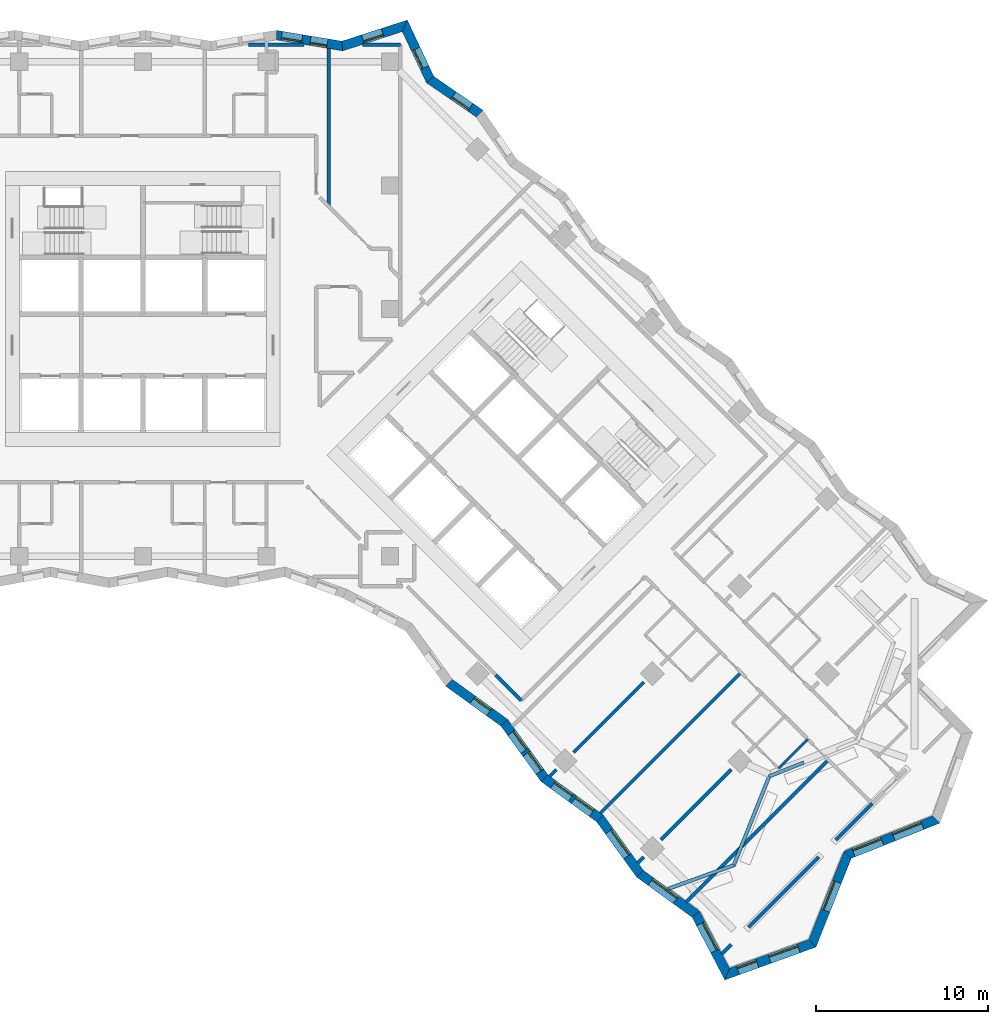
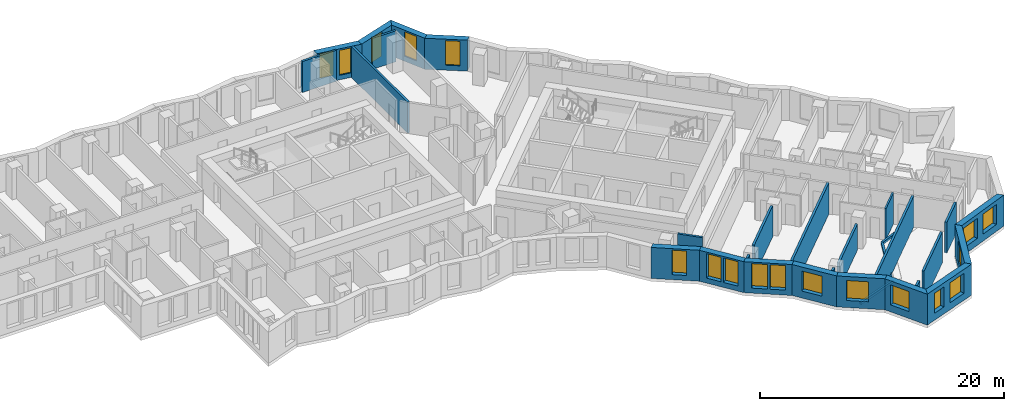
# One storey, part 8 of 14: 30 walls, 18 windows, 18 openings.
"""IFC4 building model written with IfcOpenShell, lengths in metres."""

from ifc_helpers import new_model, si_unit, direction, frame, frame_2d, origin, place, context, subcontext, project, spatial, polyline, rectangle, outline, extrude, material, layer, layer_set, type_object, element, fill, save


model = new_model("IFC4")

# Units and contexts
model_context = context("Model", 3, precision=1e-05, world=origin(), true_north=direction((0.0, 1.0)))
body_context = subcontext(model_context, "Body", "Model", "MODEL_VIEW")
ifc_project = project(units=[si_unit("LENGTHUNIT", "METRE"), si_unit("AREAUNIT", "SQUARE_METRE"), si_unit("VOLUMEUNIT", "CUBIC_METRE"), si_unit("PLANEANGLEUNIT", "RADIAN"), si_unit("MASSUNIT", "GRAM", prefix="KILO")], contexts=[model_context])

# Site, building, storey
site_placement = place(None, origin())
site = spatial("IfcSite", under=ifc_project, at=site_placement, CompositionType="ELEMENT")
building_placement = place(site_placement, origin())
building = spatial("IfcBuilding", under=site, at=building_placement, Name="Windrow Commons", CompositionType="ELEMENT")
storey_placement = place(building_placement, frame((0.0, 0.0, 118.6)))
storey = spatial("IfcBuildingStorey", under=building, at=storey_placement, Name="L32", CompositionType="ELEMENT", Elevation=118.6)

# Wall, openings, windows
ifc_material_1 = material(Name="Brick masonry, red clay brick", Category="masonry")
ifc_layer_1 = layer(ifc_material_1, 0.55)
ifc_layer_set_1 = layer_set([ifc_layer_1], Name="Brick facade wall 550")
wall_type_1 = type_object("IfcWallType", Name="Brick facade wall 550", PredefinedType="SOLIDWALL", material=ifc_layer_set_1)
wall_1_placement = place(storey_placement, frame((98.8273, 18.8616, 0.0), z_axis=(0.0, 0.0, 1.0), x_axis=(0.9406965129, 0.339249275, 0.0)))
wall_1 = element("IfcWall", 1, at=wall_1_placement, inside=storey, type_object=wall_type_1, Name="Brick facade wall L32 1", PredefinedType="SOLIDWALL", context=body_context, shape_type="SweptSolid", body=[
    extrude(outline(polyline([(-0.2399, -0.275), (5.4034, -0.275), (5.1558, 0.275), (0.2399, 0.275), (-0.2399, -0.275)])), origin(), (0.0, 0.0, 1.0), 3.1),
])
opening_1_placement = place(wall_1_placement, frame((2.6264, 0.0, 0.7)))
opening_1 = element("IfcOpeningElement", 2, at=opening_1_placement, cuts=wall_1, Name="Opening W1", PredefinedType="OPENING", context=body_context, shape_type="SweptSolid", body=[
    extrude(rectangle(XDim=1.8, YDim=2.0, at=frame_2d((0.9, 1.0))), frame((0.0, 0.285, 0.0), z_axis=(0.0, -1.0, 0.0), x_axis=(1.0, 0.0, 0.0)), (0.0, 0.0, 1.0), 0.57),
])
opening_2_placement = place(wall_1_placement, frame((0.6685, 0.0, 0.7)))
opening_2 = element("IfcOpeningElement", 3, at=opening_2_placement, cuts=wall_1, Name="Opening W7", PredefinedType="OPENING", context=body_context, shape_type="SweptSolid", body=[
    extrude(rectangle(XDim=1.2, YDim=2.0, at=frame_2d((0.6, 1.0))), frame((0.0, 0.285, 0.0), z_axis=(0.0, -1.0, 0.0), x_axis=(1.0, 0.0, 0.0)), (0.0, 0.0, 1.0), 0.57),
])
ifc_material_2 = material(Name="Clear float glass in anodised aluminium frame", Category="aluminium")
window_type_1 = type_object("IfcWindowType", Name="Window W1 bedroom 1800x2000", PartitioningType="SINGLE_PANEL", PredefinedType="WINDOW", material=ifc_material_2)
window_1_placement = place(opening_1_placement, origin())
window_1 = element("IfcWindow", 4, at=window_1_placement, inside=storey, type_object=window_type_1, Name="Window L32 1.1", OverallHeight=2.0, OverallWidth=1.8, PartitioningType="SINGLE_PANEL", PredefinedType="WINDOW", context=body_context, shape_type="SweptSolid", body=[
    extrude(rectangle(XDim=1.8, YDim=2.0, at=frame_2d((0.9, 1.0))), frame((0.0, 0.155, 0.0), z_axis=(0.0, -1.0, 0.0), x_axis=(1.0, 0.0, 0.0)), (0.0, 0.0, 1.0), 0.06),
])
fill(opening_1, window_1)
ifc_material_3 = material(Name="Clear float glass in anodised aluminium frame", Category="aluminium")
window_type_2 = type_object("IfcWindowType", Name="Window W7 notch 1200x2000", PartitioningType="SINGLE_PANEL", PredefinedType="WINDOW", material=ifc_material_3)
window_2_placement = place(opening_2_placement, origin())
window_2 = element("IfcWindow", 5, at=window_2_placement, inside=storey, type_object=window_type_2, Name="Window L32 1.2", OverallHeight=2.0, OverallWidth=1.2, PartitioningType="SINGLE_PANEL", PredefinedType="WINDOW", context=body_context, shape_type="SweptSolid", body=[
    extrude(rectangle(XDim=1.2, YDim=2.0, at=frame_2d((0.6, 1.0))), frame((0.0, 0.155, 0.0), z_axis=(0.0, -1.0, 0.0), x_axis=(1.0, 0.0, 0.0)), (0.0, 0.0, 1.0), 0.06),
])
fill(opening_2, window_2)

# Wall, opening, window
wall_2_placement = place(storey_placement, frame((103.7938, 20.6527, 0.0), z_axis=(0.0, 0.0, 1.0), x_axis=(0.3696863302, 0.9291566161, 0.0)))
wall_2 = element("IfcWall", 6, at=wall_2_placement, inside=storey, type_object=wall_type_1, Name="Brick facade wall L32 2", PredefinedType="SOLIDWALL", context=body_context, shape_type="SweptSolid", body=[
    extrude(outline(polyline([(-0.1238, -0.275), (5.4374, -0.275), (5.6743, 0.275), (0.1238, 0.275), (-0.1238, -0.275)])), origin(), (0.0, 0.0, 1.0), 3.1),
])
opening_3_placement = place(wall_2_placement, frame((2.0567, 0.0, 0.7)))
opening_3 = element("IfcOpeningElement", 7, at=opening_3_placement, cuts=wall_2, Name="Opening W1", PredefinedType="OPENING", context=body_context, shape_type="SweptSolid", body=[
    extrude(rectangle(XDim=1.8, YDim=2.0, at=frame_2d((0.9, 1.0))), frame((0.0, 0.285, 0.0), z_axis=(0.0, -1.0, 0.0), x_axis=(1.0, 0.0, 0.0)), (0.0, 0.0, 1.0), 0.57),
])
window_3_placement = place(opening_3_placement, origin())
window_3 = element("IfcWindow", 8, at=window_3_placement, inside=storey, type_object=window_type_1, Name="Window L32 2.1", OverallHeight=2.0, OverallWidth=1.8, PartitioningType="SINGLE_PANEL", PredefinedType="WINDOW", context=body_context, shape_type="SweptSolid", body=[
    extrude(rectangle(XDim=1.8, YDim=2.0, at=frame_2d((0.9, 1.0))), frame((0.0, 0.155, 0.0), z_axis=(0.0, -1.0, 0.0), x_axis=(1.0, 0.0, 0.0)), (0.0, 0.0, 1.0), 0.06),
])
fill(opening_3, window_3)

# Wall, openings, windows
wall_3_placement = place(storey_placement, frame((105.8477, 25.8149, 0.0), z_axis=(0.0, 0.0, 1.0), x_axis=(0.9291504333, 0.3697018694, 0.0)))
wall_3 = element("IfcWall", 9, at=wall_3_placement, inside=storey, type_object=wall_type_1, Name="Brick facade wall L32 3", PredefinedType="SOLIDWALL", context=body_context, shape_type="SweptSolid", body=[
    extrude(outline(polyline([(0.1185, -0.275), (5.6796, -0.275), (5.432, 0.275), (-0.1185, 0.275), (0.1185, -0.275)])), origin(), (0.0, 0.0, 1.0), 3.1),
])
opening_4_placement = place(wall_3_placement, frame((0.3582, 0.0, 0.7)))
opening_4 = element("IfcOpeningElement", 10, at=opening_4_placement, cuts=wall_3, Name="Opening W1", PredefinedType="OPENING", context=body_context, shape_type="SweptSolid", body=[
    extrude(rectangle(XDim=1.8, YDim=2.0, at=frame_2d((0.9, 1.0))), frame((0.0, 0.285, 0.0), z_axis=(0.0, -1.0, 0.0), x_axis=(1.0, 0.0, 0.0)), (0.0, 0.0, 1.0), 0.57),
])
opening_5_placement = place(wall_3_placement, frame((2.8742, 0.0, 0.7)))
opening_5 = element("IfcOpeningElement", 11, at=opening_5_placement, cuts=wall_3, Name="Opening W1", PredefinedType="OPENING", context=body_context, shape_type="SweptSolid", body=[
    extrude(rectangle(XDim=1.8, YDim=2.0, at=frame_2d((0.9, 1.0))), frame((0.0, 0.285, 0.0), z_axis=(0.0, -1.0, 0.0), x_axis=(1.0, 0.0, 0.0)), (0.0, 0.0, 1.0), 0.57),
])
window_4_placement = place(opening_4_placement, origin())
window_4 = element("IfcWindow", 12, at=window_4_placement, inside=storey, type_object=window_type_1, Name="Window L32 3.1", OverallHeight=2.0, OverallWidth=1.8, PartitioningType="SINGLE_PANEL", PredefinedType="WINDOW", context=body_context, shape_type="SweptSolid", body=[
    extrude(rectangle(XDim=1.8, YDim=2.0, at=frame_2d((0.9, 1.0))), frame((0.0, 0.155, 0.0), z_axis=(0.0, -1.0, 0.0), x_axis=(1.0, 0.0, 0.0)), (0.0, 0.0, 1.0), 0.06),
])
fill(opening_4, window_4)
window_5_placement = place(opening_5_placement, origin())
window_5 = element("IfcWindow", 13, at=window_5_placement, inside=storey, type_object=window_type_1, Name="Window L32 3.2", OverallHeight=2.0, OverallWidth=1.8, PartitioningType="SINGLE_PANEL", PredefinedType="WINDOW", context=body_context, shape_type="SweptSolid", body=[
    extrude(rectangle(XDim=1.8, YDim=2.0, at=frame_2d((0.9, 1.0))), frame((0.0, 0.155, 0.0), z_axis=(0.0, -1.0, 0.0), x_axis=(1.0, 0.0, 0.0)), (0.0, 0.0, 1.0), 0.06),
])
fill(opening_5, window_5)

# Wall, opening, window
wall_4_placement = place(storey_placement, frame((84.4112, 68.9814, 0.0), z_axis=(0.0, 0.0, 1.0), x_axis=(-0.8236536684, 0.5670931445, 0.0)))
wall_4 = element("IfcWall", 14, at=wall_4_placement, inside=storey, type_object=wall_type_1, Name="Brick facade wall L32 19", PredefinedType="SOLIDWALL", context=body_context, shape_type="SweptSolid", body=[
    extrude(outline(polyline([(-0.0507, -0.275), (3.4219, -0.275), (3.5707, 0.275), (0.0507, 0.275), (-0.0507, -0.275)])), origin(), (0.0, 0.0, 1.0), 3.1),
])
opening_6_placement = place(wall_4_placement, frame((0.6538, 0.0, 0.5)))
opening_6 = element("IfcOpeningElement", 15, at=opening_6_placement, cuts=wall_4, Name="Opening W7D", PredefinedType="OPENING", context=body_context, shape_type="SweptSolid", body=[
    extrude(rectangle(XDim=1.2, YDim=2.45, at=frame_2d((0.6, 1.225))), frame((0.0, 0.285, 0.0), z_axis=(0.0, -1.0, 0.0), x_axis=(1.0, 0.0, 0.0)), (0.0, 0.0, 1.0), 0.57),
])
ifc_material_4 = material(Name="Clear float glass in anodised aluminium frame", Category="aluminium")
window_type_3 = type_object("IfcWindowType", Name="Window W7 notch 1200x2450", PartitioningType="SINGLE_PANEL", PredefinedType="WINDOW", material=ifc_material_4)
window_6_placement = place(opening_6_placement, origin())
window_6 = element("IfcWindow", 16, at=window_6_placement, inside=storey, type_object=window_type_3, Name="Window L32 19.1", OverallHeight=2.45, OverallWidth=1.2, PartitioningType="SINGLE_PANEL", PredefinedType="WINDOW", context=body_context, shape_type="SweptSolid", body=[
    extrude(rectangle(XDim=1.2, YDim=2.45, at=frame_2d((0.6, 1.225))), frame((0.0, 0.155, 0.0), z_axis=(0.0, -1.0, 0.0), x_axis=(1.0, 0.0, 0.0)), (0.0, 0.0, 1.0), 0.06),
])
fill(opening_6, window_6)

wall_5_placement = place(storey_placement, frame((81.5315, 70.9641, 0.0), z_axis=(0.0, 0.0, 1.0), x_axis=(-0.425664885, 0.9048808793, 0.0)))
wall_5 = element("IfcWall", 17, at=wall_5_placement, inside=storey, type_object=wall_type_1, Name="Brick facade wall L32 20", PredefinedType="SOLIDWALL", context=body_context, shape_type="SweptSolid", body=[
    extrude(outline(polyline([(0.0744, -0.275), (3.7042, -0.275), (3.22, 0.275), (-0.0744, 0.275), (0.0744, -0.275)])), origin(), (0.0, 0.0, 1.0), 3.1),
])
opening_7_placement = place(wall_5_placement, frame((0.7654, 0.0, 0.5)))
opening_7 = element("IfcOpeningElement", 18, at=opening_7_placement, cuts=wall_5, Name="Opening W7D", PredefinedType="OPENING", context=body_context, shape_type="SweptSolid", body=[
    extrude(rectangle(XDim=1.2, YDim=2.45, at=frame_2d((0.6, 1.225))), frame((0.0, 0.285, 0.0), z_axis=(0.0, -1.0, 0.0), x_axis=(1.0, 0.0, 0.0)), (0.0, 0.0, 1.0), 0.57),
])
window_7_placement = place(opening_7_placement, origin())
window_7 = element("IfcWindow", 19, at=window_7_placement, inside=storey, type_object=window_type_3, Name="Window L32 20.1", OverallHeight=2.45, OverallWidth=1.2, PartitioningType="SINGLE_PANEL", PredefinedType="WINDOW", context=body_context, shape_type="SweptSolid", body=[
    extrude(rectangle(XDim=1.2, YDim=2.45, at=frame_2d((0.6, 1.225))), frame((0.0, 0.155, 0.0), z_axis=(0.0, -1.0, 0.0), x_axis=(1.0, 0.0, 0.0)), (0.0, 0.0, 1.0), 0.06),
])
fill(opening_7, window_7)

wall_6_placement = place(storey_placement, frame((80.0578, 74.0969, 0.0), z_axis=(0.0, 0.0, 1.0), x_axis=(-0.9515336755, -0.307544573, 0.0)))
wall_6 = element("IfcWall", 20, at=wall_6_placement, inside=storey, type_object=wall_type_1, Name="Brick facade wall L32 21", PredefinedType="SOLIDWALL", context=body_context, shape_type="SweptSolid", body=[
    extrude(outline(polyline([(-0.2421, -0.275), (3.767, -0.275), (3.9007, 0.275), (0.2421, 0.275), (-0.2421, -0.275)])), origin(), (0.0, 0.0, 1.0), 3.1),
])
opening_8_placement = place(wall_6_placement, frame((1.3677, 0.0, 0.5)))
opening_8 = element("IfcOpeningElement", 21, at=opening_8_placement, cuts=wall_6, Name="Opening W7D", PredefinedType="OPENING", context=body_context, shape_type="SweptSolid", body=[
    extrude(rectangle(XDim=1.2, YDim=2.45, at=frame_2d((0.6, 1.225))), frame((0.0, 0.285, 0.0), z_axis=(0.0, -1.0, 0.0), x_axis=(1.0, 0.0, 0.0)), (0.0, 0.0, 1.0), 0.57),
])
window_8_placement = place(opening_8_placement, origin())
window_8 = element("IfcWindow", 22, at=window_8_placement, inside=storey, type_object=window_type_3, Name="Window L32 21.1", OverallHeight=2.45, OverallWidth=1.2, PartitioningType="SINGLE_PANEL", PredefinedType="WINDOW", context=body_context, shape_type="SweptSolid", body=[
    extrude(rectangle(XDim=1.2, YDim=2.45, at=frame_2d((0.6, 1.225))), frame((0.0, 0.155, 0.0), z_axis=(0.0, -1.0, 0.0), x_axis=(1.0, 0.0, 0.0)), (0.0, 0.0, 1.0), 0.06),
])
fill(opening_8, window_8)

# Wall, openings, windows
wall_7_placement = place(storey_placement, frame((76.4097, 72.9178, 0.0), z_axis=(0.0, 0.0, 1.0), x_axis=(-0.9865139149, 0.1636774136, 0.0)))
wall_7 = element("IfcWall", 23, at=wall_7_placement, inside=storey, type_object=wall_type_1, Name="Brick facade wall L32 22", PredefinedType="SOLIDWALL", context=body_context, shape_type="SweptSolid", body=[
    extrude(outline(polyline([(0.0669, -0.275), (3.9338, -0.275), (3.8426, 0.275), (-0.0669, 0.275), (0.0669, -0.275)])), origin(), (0.0, 0.0, 1.0), 3.1),
])
opening_9_placement = place(wall_7_placement, frame((0.8795, 0.0, 0.45)))
opening_9 = element("IfcOpeningElement", 24, at=opening_9_placement, cuts=wall_7, Name="Opening W1S", PredefinedType="OPENING", context=body_context, shape_type="SweptSolid", body=[
    extrude(rectangle(XDim=1.0, YDim=2.5, at=frame_2d((0.5, 1.25))), frame((0.0, 0.285, 0.0), z_axis=(0.0, -1.0, 0.0), x_axis=(1.0, 0.0, 0.0)), (0.0, 0.0, 1.0), 0.57),
])
opening_10_placement = place(wall_7_placement, frame((2.3736, 0.0, 0.5)))
opening_10 = element("IfcOpeningElement", 25, at=opening_10_placement, cuts=wall_7, Name="Opening W7D", PredefinedType="OPENING", context=body_context, shape_type="SweptSolid", body=[
    extrude(rectangle(XDim=1.2, YDim=2.45, at=frame_2d((0.6, 1.225))), frame((0.0, 0.285, 0.0), z_axis=(0.0, -1.0, 0.0), x_axis=(1.0, 0.0, 0.0)), (0.0, 0.0, 1.0), 0.57),
])
ifc_material_5 = material(Name="Clear float glass in anodised aluminium frame", Category="aluminium")
window_type_4 = type_object("IfcWindowType", Name="Window W1S slit 1000x2500", PartitioningType="SINGLE_PANEL", PredefinedType="WINDOW", material=ifc_material_5)
window_9_placement = place(opening_9_placement, origin())
window_9 = element("IfcWindow", 26, at=window_9_placement, inside=storey, type_object=window_type_4, Name="Window L32 22.1A", OverallHeight=2.5, OverallWidth=1.0, PartitioningType="SINGLE_PANEL", PredefinedType="WINDOW", context=body_context, shape_type="SweptSolid", body=[
    extrude(rectangle(XDim=1.0, YDim=2.5, at=frame_2d((0.5, 1.25))), frame((0.0, 0.155, 0.0), z_axis=(0.0, -1.0, 0.0), x_axis=(1.0, 0.0, 0.0)), (0.0, 0.0, 1.0), 0.06),
])
fill(opening_9, window_9)
window_10_placement = place(opening_10_placement, origin())
window_10 = element("IfcWindow", 27, at=window_10_placement, inside=storey, type_object=window_type_3, Name="Window L32 22.1B", OverallHeight=2.45, OverallWidth=1.2, PartitioningType="SINGLE_PANEL", PredefinedType="WINDOW", context=body_context, shape_type="SweptSolid", body=[
    extrude(rectangle(XDim=1.2, YDim=2.45, at=frame_2d((0.6, 1.225))), frame((0.0, 0.155, 0.0), z_axis=(0.0, -1.0, 0.0), x_axis=(1.0, 0.0, 0.0)), (0.0, 0.0, 1.0), 0.06),
])
fill(opening_10, window_10)

# Wall, opening, window
wall_8_placement = place(storey_placement, frame((82.632, 35.8268, 0.0), z_axis=(0.0, 0.0, 1.0), x_axis=(0.8100630266, -0.5863428119, 0.0)))
wall_8 = element("IfcWall", 28, at=wall_8_placement, inside=storey, type_object=wall_type_1, Name="Brick facade wall L32 54", PredefinedType="SOLIDWALL", context=body_context, shape_type="SweptSolid", body=[
    extrude(outline(polyline([(-0.0441, -0.275), (3.9386, -0.275), (4.0267, 0.275), (0.0441, 0.275), (-0.0441, -0.275)])), origin(), (0.0, 0.0, 1.0), 3.1),
])
opening_11_placement = place(wall_8_placement, frame((1.6938, 0.0, 0.5)))
opening_11 = element("IfcOpeningElement", 29, at=opening_11_placement, cuts=wall_8, Name="Opening W7D", PredefinedType="OPENING", context=body_context, shape_type="SweptSolid", body=[
    extrude(rectangle(XDim=1.2, YDim=2.45, at=frame_2d((0.6, 1.225))), frame((0.0, 0.285, 0.0), z_axis=(0.0, -1.0, 0.0), x_axis=(1.0, 0.0, 0.0)), (0.0, 0.0, 1.0), 0.57),
])
window_11_placement = place(opening_11_placement, origin())
window_11 = element("IfcWindow", 30, at=window_11_placement, inside=storey, type_object=window_type_3, Name="Window L32 54.1", OverallHeight=2.45, OverallWidth=1.2, PartitioningType="SINGLE_PANEL", PredefinedType="WINDOW", context=body_context, shape_type="SweptSolid", body=[
    extrude(rectangle(XDim=1.2, YDim=2.45, at=frame_2d((0.6, 1.225))), frame((0.0, 0.155, 0.0), z_axis=(0.0, -1.0, 0.0), x_axis=(1.0, 0.0, 0.0)), (0.0, 0.0, 1.0), 0.06),
])
fill(opening_11, window_11)

# Wall, openings, windows
wall_9_placement = place(storey_placement, frame((85.8582, 33.4916, 0.0), z_axis=(0.0, 0.0, 1.0), x_axis=(0.5863547381, -0.8100543939, 0.0)))
wall_9 = element("IfcWall", 31, at=wall_9_placement, inside=storey, type_object=wall_type_1, Name="Brick facade wall L32 55", PredefinedType="SOLIDWALL", context=body_context, shape_type="SweptSolid", body=[
    extrude(outline(polyline([(0.0441, -0.275), (4.0267, -0.275), (3.9386, 0.275), (-0.0441, 0.275), (0.0441, -0.275)])), origin(), (0.0, 0.0, 1.0), 3.1),
])
opening_12_placement = place(wall_9_placement, frame((0.7035, 0.0, 0.5)))
opening_12 = element("IfcOpeningElement", 32, at=opening_12_placement, cuts=wall_9, Name="Opening W1P", PredefinedType="OPENING", context=body_context, shape_type="SweptSolid", body=[
    extrude(rectangle(XDim=1.3, YDim=2.45, at=frame_2d((0.65, 1.225))), frame((0.0, 0.285, 0.0), z_axis=(0.0, -1.0, 0.0), x_axis=(1.0, 0.0, 0.0)), (0.0, 0.0, 1.0), 0.57),
])
opening_13_placement = place(wall_9_placement, frame((2.2035, 0.0, 0.5)))
opening_13 = element("IfcOpeningElement", 33, at=opening_13_placement, cuts=wall_9, Name="Opening W1P", PredefinedType="OPENING", context=body_context, shape_type="SweptSolid", body=[
    extrude(rectangle(XDim=1.3, YDim=2.45, at=frame_2d((0.65, 1.225))), frame((0.0, 0.285, 0.0), z_axis=(0.0, -1.0, 0.0), x_axis=(1.0, 0.0, 0.0)), (0.0, 0.0, 1.0), 0.57),
])
ifc_material_6 = material(Name="Clear float glass in anodised aluminium frame", Category="aluminium")
window_type_5 = type_object("IfcWindowType", Name="Window W1P pair 1300x2450", PartitioningType="SINGLE_PANEL", PredefinedType="WINDOW", material=ifc_material_6)
window_12_placement = place(opening_12_placement, origin())
window_12 = element("IfcWindow", 34, at=window_12_placement, inside=storey, type_object=window_type_5, Name="Window L32 55.1A", OverallHeight=2.45, OverallWidth=1.3, PartitioningType="SINGLE_PANEL", PredefinedType="WINDOW", context=body_context, shape_type="SweptSolid", body=[
    extrude(rectangle(XDim=1.3, YDim=2.45, at=frame_2d((0.65, 1.225))), frame((0.0, 0.155, 0.0), z_axis=(0.0, -1.0, 0.0), x_axis=(1.0, 0.0, 0.0)), (0.0, 0.0, 1.0), 0.06),
])
fill(opening_12, window_12)
window_13_placement = place(opening_13_placement, origin())
window_13 = element("IfcWindow", 35, at=window_13_placement, inside=storey, type_object=window_type_5, Name="Window L32 55.1B", OverallHeight=2.45, OverallWidth=1.3, PartitioningType="SINGLE_PANEL", PredefinedType="WINDOW", context=body_context, shape_type="SweptSolid", body=[
    extrude(rectangle(XDim=1.3, YDim=2.45, at=frame_2d((0.65, 1.225))), frame((0.0, 0.155, 0.0), z_axis=(0.0, -1.0, 0.0), x_axis=(1.0, 0.0, 0.0)), (0.0, 0.0, 1.0), 0.06),
])
fill(opening_13, window_13)

wall_10_placement = place(storey_placement, frame((88.1934, 30.2655, 0.0), z_axis=(0.0, 0.0, 1.0), x_axis=(0.8100630266, -0.5863428119, 0.0)))
wall_10 = element("IfcWall", 36, at=wall_10_placement, inside=storey, type_object=wall_type_1, Name="Brick facade wall L32 56", PredefinedType="SOLIDWALL", context=body_context, shape_type="SweptSolid", body=[
    extrude(outline(polyline([(-0.0441, -0.275), (3.9386, -0.275), (4.0267, 0.275), (0.0441, 0.275), (-0.0441, -0.275)])), origin(), (0.0, 0.0, 1.0), 3.1),
])
opening_14_placement = place(wall_10_placement, frame((0.6133, 0.0, 0.5)))
opening_14 = element("IfcOpeningElement", 37, at=opening_14_placement, cuts=wall_10, Name="Opening W1P", PredefinedType="OPENING", context=body_context, shape_type="SweptSolid", body=[
    extrude(rectangle(XDim=1.3, YDim=2.45, at=frame_2d((0.65, 1.225))), frame((0.0, 0.285, 0.0), z_axis=(0.0, -1.0, 0.0), x_axis=(1.0, 0.0, 0.0)), (0.0, 0.0, 1.0), 0.57),
])
opening_15_placement = place(wall_10_placement, frame((2.1133, 0.0, 0.5)))
opening_15 = element("IfcOpeningElement", 38, at=opening_15_placement, cuts=wall_10, Name="Opening W1P", PredefinedType="OPENING", context=body_context, shape_type="SweptSolid", body=[
    extrude(rectangle(XDim=1.3, YDim=2.45, at=frame_2d((0.65, 1.225))), frame((0.0, 0.285, 0.0), z_axis=(0.0, -1.0, 0.0), x_axis=(1.0, 0.0, 0.0)), (0.0, 0.0, 1.0), 0.57),
])
window_14_placement = place(opening_14_placement, origin())
window_14 = element("IfcWindow", 39, at=window_14_placement, inside=storey, type_object=window_type_5, Name="Window L32 56.1A", OverallHeight=2.45, OverallWidth=1.3, PartitioningType="SINGLE_PANEL", PredefinedType="WINDOW", context=body_context, shape_type="SweptSolid", body=[
    extrude(rectangle(XDim=1.3, YDim=2.45, at=frame_2d((0.65, 1.225))), frame((0.0, 0.155, 0.0), z_axis=(0.0, -1.0, 0.0), x_axis=(1.0, 0.0, 0.0)), (0.0, 0.0, 1.0), 0.06),
])
fill(opening_14, window_14)
window_15_placement = place(opening_15_placement, origin())
window_15 = element("IfcWindow", 40, at=window_15_placement, inside=storey, type_object=window_type_5, Name="Window L32 56.1B", OverallHeight=2.45, OverallWidth=1.3, PartitioningType="SINGLE_PANEL", PredefinedType="WINDOW", context=body_context, shape_type="SweptSolid", body=[
    extrude(rectangle(XDim=1.3, YDim=2.45, at=frame_2d((0.65, 1.225))), frame((0.0, 0.155, 0.0), z_axis=(0.0, -1.0, 0.0), x_axis=(1.0, 0.0, 0.0)), (0.0, 0.0, 1.0), 0.06),
])
fill(opening_15, window_15)

# Wall, opening, window
wall_11_placement = place(storey_placement, frame((91.4196, 27.9303, 0.0), z_axis=(0.0, 0.0, 1.0), x_axis=(0.5863428119, -0.8100630266, 0.0)))
wall_11 = element("IfcWall", 41, at=wall_11_placement, inside=storey, type_object=wall_type_1, Name="Brick facade wall L32 57", PredefinedType="SOLIDWALL", context=body_context, shape_type="SweptSolid", body=[
    extrude(outline(polyline([(0.0441, -0.275), (4.0267, -0.275), (3.9386, 0.275), (-0.0441, 0.275), (0.0441, -0.275)])), origin(), (0.0, 0.0, 1.0), 3.1),
])
opening_16_placement = place(wall_11_placement, frame((0.9204, 0.0, 0.7)))
opening_16 = element("IfcOpeningElement", 42, at=opening_16_placement, cuts=wall_11, Name="Opening W1", PredefinedType="OPENING", context=body_context, shape_type="SweptSolid", body=[
    extrude(rectangle(XDim=1.8, YDim=2.0, at=frame_2d((0.9, 1.0))), frame((0.0, 0.285, 0.0), z_axis=(0.0, -1.0, 0.0), x_axis=(1.0, 0.0, 0.0)), (0.0, 0.0, 1.0), 0.57),
])
window_16_placement = place(opening_16_placement, origin())
window_16 = element("IfcWindow", 43, at=window_16_placement, inside=storey, type_object=window_type_1, Name="Window L32 57.1", OverallHeight=2.0, OverallWidth=1.8, PartitioningType="SINGLE_PANEL", PredefinedType="WINDOW", context=body_context, shape_type="SweptSolid", body=[
    extrude(rectangle(XDim=1.8, YDim=2.0, at=frame_2d((0.9, 1.0))), frame((0.0, 0.155, 0.0), z_axis=(0.0, -1.0, 0.0), x_axis=(1.0, 0.0, 0.0)), (0.0, 0.0, 1.0), 0.06),
])
fill(opening_16, window_16)

wall_12_placement = place(storey_placement, frame((93.7548, 24.7041, 0.0), z_axis=(0.0, 0.0, 1.0), x_axis=(0.8100529974, -0.5863566673, 0.0)))
wall_12 = element("IfcWall", 44, at=wall_12_placement, inside=storey, type_object=wall_type_1, Name="Brick facade wall L32 58", PredefinedType="SOLIDWALL", context=body_context, shape_type="SweptSolid", body=[
    extrude(outline(polyline([(-0.0441, -0.275), (3.9386, -0.275), (4.0679, 0.275), (0.0441, 0.275), (-0.0441, -0.275)])), origin(), (0.0, 0.0, 1.0), 3.1),
])
opening_17_placement = place(wall_12_placement, frame((0.7741, 0.0, 0.7)))
opening_17 = element("IfcOpeningElement", 45, at=opening_17_placement, cuts=wall_12, Name="Opening W1", PredefinedType="OPENING", context=body_context, shape_type="SweptSolid", body=[
    extrude(rectangle(XDim=1.8, YDim=2.0, at=frame_2d((0.9, 1.0))), frame((0.0, 0.285, 0.0), z_axis=(0.0, -1.0, 0.0), x_axis=(1.0, 0.0, 0.0)), (0.0, 0.0, 1.0), 0.57),
])
window_17_placement = place(opening_17_placement, origin())
window_17 = element("IfcWindow", 46, at=window_17_placement, inside=storey, type_object=window_type_1, Name="Window L32 58.1", OverallHeight=2.0, OverallWidth=1.8, PartitioningType="SINGLE_PANEL", PredefinedType="WINDOW", context=body_context, shape_type="SweptSolid", body=[
    extrude(rectangle(XDim=1.8, YDim=2.0, at=frame_2d((0.9, 1.0))), frame((0.0, 0.155, 0.0), z_axis=(0.0, -1.0, 0.0), x_axis=(1.0, 0.0, 0.0)), (0.0, 0.0, 1.0), 0.06),
])
fill(opening_17, window_17)

wall_13_placement = place(storey_placement, frame((96.9976, 22.3568, 0.0), z_axis=(0.0, 0.0, 1.0), x_axis=(0.4637843995, -0.8859480971, 0.0)))
wall_13 = element("IfcWall", 47, at=wall_13_placement, inside=storey, type_object=wall_type_1, Name="Brick facade wall L32 59", PredefinedType="SOLIDWALL", context=body_context, shape_type="SweptSolid", body=[
    extrude(outline(polyline([(0.0647, -0.275), (4.185, -0.275), (3.7052, 0.275), (-0.0647, 0.275), (0.0647, -0.275)])), origin(), (0.0, 0.0, 1.0), 3.1),
])
opening_18_placement = place(wall_13_placement, frame((0.6209, 0.0, 0.7)))
opening_18 = element("IfcOpeningElement", 48, at=opening_18_placement, cuts=wall_13, Name="Opening W1", PredefinedType="OPENING", context=body_context, shape_type="SweptSolid", body=[
    extrude(rectangle(XDim=1.8, YDim=2.0, at=frame_2d((0.9, 1.0))), frame((0.0, 0.285, 0.0), z_axis=(0.0, -1.0, 0.0), x_axis=(1.0, 0.0, 0.0)), (0.0, 0.0, 1.0), 0.57),
])
window_18_placement = place(opening_18_placement, origin())
window_18 = element("IfcWindow", 49, at=window_18_placement, inside=storey, type_object=window_type_1, Name="Window L32 59.1", OverallHeight=2.0, OverallWidth=1.8, PartitioningType="SINGLE_PANEL", PredefinedType="WINDOW", context=body_context, shape_type="SweptSolid", body=[
    extrude(rectangle(XDim=1.8, YDim=2.0, at=frame_2d((0.9, 1.0))), frame((0.0, 0.155, 0.0), z_axis=(0.0, -1.0, 0.0), x_axis=(1.0, 0.0, 0.0)), (0.0, 0.0, 1.0), 0.06),
])
fill(opening_18, window_18)

# Walls
ifc_material_7 = material(Name="Blockwork partition", Category="masonry")
ifc_layer_2 = layer(ifc_material_7, 0.2)
ifc_layer_set_2 = layer_set([ifc_layer_2], Name="IW-CORRIDOR-200")
wall_type_2 = type_object("IfcWallType", Name="IW-CORRIDOR-200", PredefinedType="PARTITIONING", material=ifc_layer_set_2)
wall_14_placement = place(storey_placement, frame((85.353, 36.293, 0.0), z_axis=(0.0, 0.0, 1.0), x_axis=(0.7066304548, -0.7075827869, 0.0)))
element("IfcWall", 50, at=wall_14_placement, inside=storey, type_object=wall_type_2, Name="W-L32-W132", PredefinedType="PARTITIONING", context=body_context, shape_type="SweptSolid", body=[
    extrude(rectangle(XDim=2.1001, YDim=0.2, at=frame_2d((1.05, 0.0))), origin(), (0.0, 0.0, 1.0), 3.1),
])
ifc_material_8 = material(Name="Blockwork partition", Category="masonry")
ifc_layer_3 = layer(ifc_material_8, 0.15)
ifc_layer_set_3 = layer_set([ifc_layer_3], Name="IW-ENSUITE-150")
wall_type_3 = type_object("IfcWallType", Name="IW-ENSUITE-150", PredefinedType="PARTITIONING", material=ifc_layer_set_3)
wall_15_placement = place(storey_placement, frame((101.83, 30.844, 0.0), z_axis=(0.0, 0.0, 1.0), x_axis=(0.706689978, 0.7075233388, 0.0)))
element("IfcWall", 51, at=wall_15_placement, inside=storey, type_object=wall_type_3, Name="W-L32-W118", PredefinedType="PARTITIONING", context=body_context, shape_type="SweptSolid", body=[
    extrude(rectangle(XDim=2.3999, YDim=0.15, at=frame_2d((1.2, 0.0))), origin(), (0.0, 0.0, 1.0), 3.1),
])
ifc_material_9 = material(Name="Blockwork partition", Category="masonry")
ifc_layer_4 = layer(ifc_material_9, 0.2)
ifc_layer_set_4 = layer_set([ifc_layer_4], Name="IW-PARTY-200")
wall_type_4 = type_object("IfcWallType", Name="IW-PARTY-200", PredefinedType="PARTITIONING", material=ifc_layer_set_4)
wall_16_placement = place(storey_placement, frame((96.465, 23.0819, 0.0), z_axis=(0.0, 0.0, 1.0), x_axis=(0.707016895, 0.7071966559, 0.0)))
element("IfcWall", 52, at=wall_16_placement, inside=storey, type_object=wall_type_4, Name="W-L32-W007", PredefinedType="PARTITIONING", context=body_context, shape_type="SweptSolid", body=[
    extrude(rectangle(XDim=11.6822, YDim=0.2, at=frame_2d((5.8411, 0.0))), origin(), (0.0, 0.0, 1.0), 3.1),
])
wall_17_placement = place(storey_placement, frame((91.4497, 28.2479, 0.0), z_axis=(0.0, 0.0, 1.0), x_axis=(0.7071931644, 0.7070203875, 0.0)))
element("IfcWall", 53, at=wall_17_placement, inside=storey, type_object=wall_type_4, Name="W-L32-W010", PredefinedType="PARTITIONING", context=body_context, shape_type="SweptSolid", body=[
    extrude(rectangle(XDim=11.5756, YDim=0.2, at=frame_2d((5.7878, 0.0))), origin(), (0.0, 0.0, 1.0), 3.1),
])
wall_18_placement = place(storey_placement, frame((75.6253, 63.5616, 0.0), z_axis=(0.0, 0.0, 1.0), x_axis=(0.0, 1.0, 0.0)))
element("IfcWall", 54, at=wall_18_placement, inside=storey, type_object=wall_type_4, Name="W-L32-W014", PredefinedType="PARTITIONING", context=body_context, shape_type="SweptSolid", body=[
    extrude(rectangle(XDim=9.2076, YDim=0.2, at=frame_2d((4.6038, 0.0))), origin(), (0.0, 0.0, 1.0), 3.1),
])
for number, where, z_axis, x_axis, name in (
    (55, (89.881, 31.771, 0.0), (0.0, 0.0, 1.0), (0.7071067812, 0.7071067812, 0.0), "W-L32-W032"),
    (56, (100.0634, 21.5886, 0.0), (0.0, 0.0, 1.0), (0.7071067812, 0.7071067812, 0.0), "W-L32-W034"),
):
    element("IfcWall", number, at=place(storey_placement, frame(where, z_axis=z_axis, x_axis=x_axis)), inside=storey, type_object=wall_type_4, Name=name, PredefinedType="PARTITIONING", context=body_context, shape_type="SweptSolid", body=[
        extrude(rectangle(XDim=5.787, YDim=0.2, at=frame_2d((2.8935, 0.0))), origin(), (0.0, 0.0, 1.0), 3.1),
    ])
wall_19_placement = place(storey_placement, frame((94.9732, 26.6808, 0.0), z_axis=(0.0, 0.0, 1.0), x_axis=(0.7071067812, 0.7071067812, 0.0)))
element("IfcWall", 57, at=wall_19_placement, inside=storey, type_object=wall_type_4, Name="W-L32-W036", PredefinedType="PARTITIONING", context=body_context, shape_type="SweptSolid", body=[
    extrude(rectangle(XDim=5.7841, YDim=0.2, at=frame_2d((2.892, 0.0))), origin(), (0.0, 0.0, 1.0), 2.6),
])
wall_20_placement = place(storey_placement, frame((70.9638, 73.0, 0.0), z_axis=(0.0, 0.0, 1.0), x_axis=(1.0, 0.0, 0.0)))
element("IfcWall", 58, at=wall_20_placement, inside=storey, type_object=wall_type_4, Name="W-L32-W058", PredefinedType="PARTITIONING", context=body_context, shape_type="SweptSolid", body=[
    extrude(rectangle(XDim=3.2204, YDim=0.2, at=frame_2d((1.6102, 0.0))), origin(), (0.0, 0.0, 1.0), 3.1),
])
wall_21_placement = place(storey_placement, frame((105.1554, 26.6806, 0.0), z_axis=(0.0, 0.0, 1.0), x_axis=(0.7071067812, 0.7071067812, 0.0)))
element("IfcWall", 59, at=wall_21_placement, inside=storey, type_object=wall_type_4, Name="W-L32-W069", PredefinedType="PARTITIONING", context=body_context, shape_type="SweptSolid", body=[
    extrude(rectangle(XDim=2.9925, YDim=0.2, at=frame_2d((1.4963, 0.0))), origin(), (0.0, 0.0, 1.0), 3.1),
])
wall_22_placement = place(storey_placement, frame((77.5802, 72.9909, 0.0), z_axis=(0.0, 0.0, 1.0), x_axis=(1.0, 0.0, 0.0)))
element("IfcWall", 60, at=wall_22_placement, inside=storey, type_object=wall_type_4, Name="W-L32-W131", PredefinedType="PARTITIONING", context=body_context, shape_type="SweptSolid", body=[
    extrude(rectangle(XDim=2.2198, YDim=0.2, at=frame_2d((1.1099, 0.0))), origin(), (0.0, 0.0, 1.0), 3.1),
])
wall_23_placement = place(storey_placement, frame((98.5223, 20.0373, 0.0), z_axis=(0.0, 0.0, 1.0), x_axis=(0.7056812976, 0.7085293968, 0.0)))
element("IfcWall", 61, at=wall_23_placement, inside=storey, type_object=wall_type_4, Name="W-L32-W181", PredefinedType="PARTITIONING", context=body_context, shape_type="SweptSolid", body=[
    extrude(rectangle(XDim=0.7724, YDim=0.2, at=frame_2d((0.3862, 0.0))), origin(), (0.0, 0.0, 1.0), 3.1),
])
wall_24_placement = place(storey_placement, frame((88.4937, 30.3876, 0.0), z_axis=(0.0, 0.0, 1.0), x_axis=(0.709396765, 0.7048093571, 0.0)))
element("IfcWall", 62, at=wall_24_placement, inside=storey, type_object=wall_type_4, Name="W-L32-W206", PredefinedType="PARTITIONING", context=body_context, shape_type="SweptSolid", body=[
    extrude(rectangle(XDim=0.545, YDim=0.2, at=frame_2d((0.2725, 0.0))), origin(), (0.0, 0.0, 1.0), 3.1),
])
wall_25_placement = place(storey_placement, frame((93.6333, 25.3409, 0.0), z_axis=(0.0, 0.0, 1.0), x_axis=(0.7071067812, 0.7071067812, 0.0)))
element("IfcWall", 63, at=wall_25_placement, inside=storey, type_object=wall_type_4, Name="W-L32-W210", PredefinedType="PARTITIONING", context=body_context, shape_type="SweptSolid", body=[
    extrude(rectangle(XDim=0.4807, YDim=0.2, at=frame_2d((0.2404, 0.0))), origin(), (0.0, 0.0, 1.0), 3.1),
])
ifc_material_10 = material(Name="Brick masonry, red clay brick", Category="masonry")
ifc_layer_5 = layer(ifc_material_10, 0.2)
ifc_layer_set_5 = layer_set([ifc_layer_5], Name="Terrace edge parapet 200")
wall_type_5 = type_object("IfcWallType", Name="Terrace edge parapet 200", PredefinedType="PARAPET", material=ifc_layer_set_5)
wall_26_placement = place(storey_placement, frame((101.2763, 30.3864, 0.0), z_axis=(0.0, 0.0, 1.0), x_axis=(-0.3696934536, -0.9291537819, 0.0)))
element("IfcWall", 64, at=wall_26_placement, inside=storey, type_object=wall_type_5, Name="Terrace parapet TR-L32-1.1.6", PredefinedType="PARAPET", context=body_context, shape_type="SweptSolid", body=[
    extrude(outline(polyline([(-0.0431, -0.1), (5.5239, -0.1), (5.614, 0.1), (0.0431, 0.1), (-0.0431, -0.1)])), origin(), (0.0, 0.0, 1.0), 0.25),
])
wall_27_placement = place(storey_placement, frame((99.2175, 25.212, 0.0), z_axis=(0.0, 0.0, 1.0), x_axis=(-0.9406904075, -0.3392662042, 0.0)))
element("IfcWall", 65, at=wall_27_placement, inside=storey, type_object=wall_type_5, Name="Terrace parapet TR-L32-1.1.7", PredefinedType="PARAPET", context=body_context, shape_type="SweptSolid", body=[
    extrude(outline(polyline([(0.045, -0.1), (4.041, -0.1), (4.041, 0.1), (-0.045, 0.1), (0.045, -0.1)])), origin(), (0.0, 0.0, 1.0), 0.25),
])
wall_28_placement = place(storey_placement, frame((103.29, 31.1876, 0.0), z_axis=(0.0, 0.0, 1.0), x_axis=(-0.9291561184, -0.3696875811, 0.0)))
element("IfcWall", 66, at=wall_28_placement, inside=storey, type_object=wall_type_5, Name="Terrace parapet TR-L32-1.1.5", PredefinedType="PARAPET", context=body_context, shape_type="SweptSolid", body=[
    extrude(outline(polyline([(0.0, -0.1), (2.2103, -0.1), (2.1241, 0.1), (0.0, 0.1), (0.0, -0.1)])), origin(), (0.0, 0.0, 1.0), 0.25),
])

save(model, "model.ifc")
